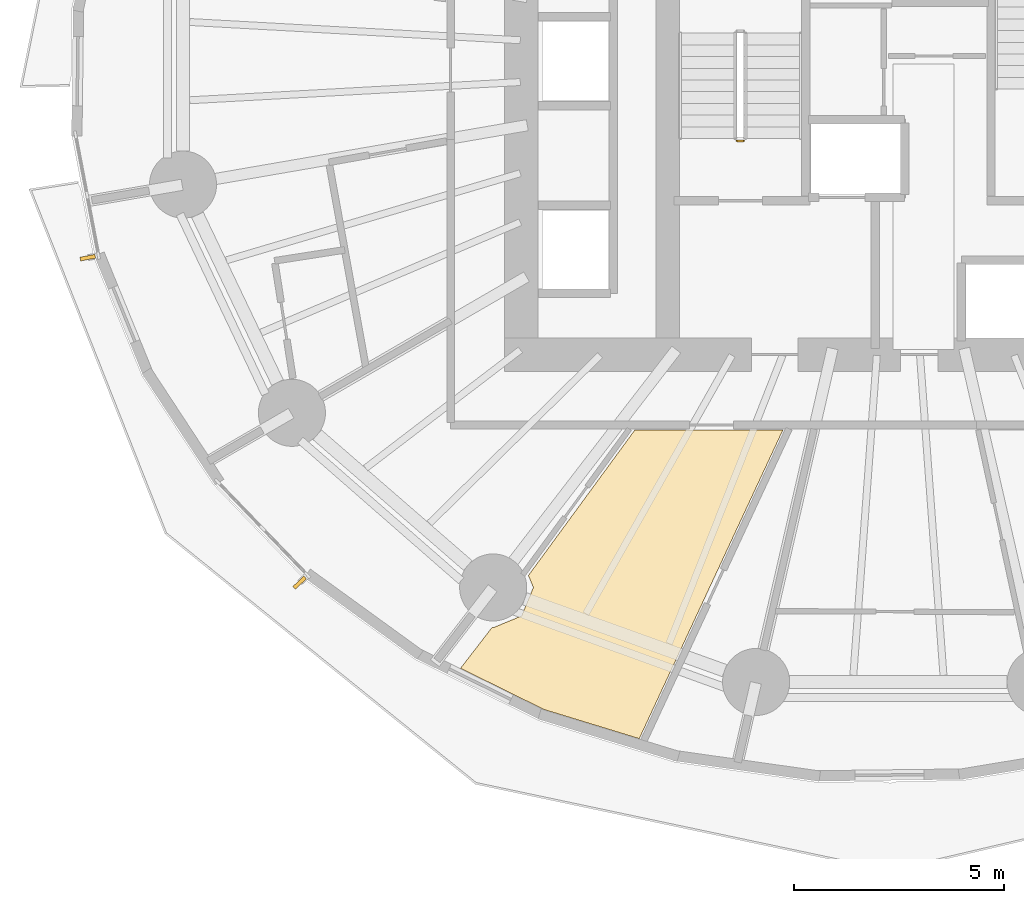
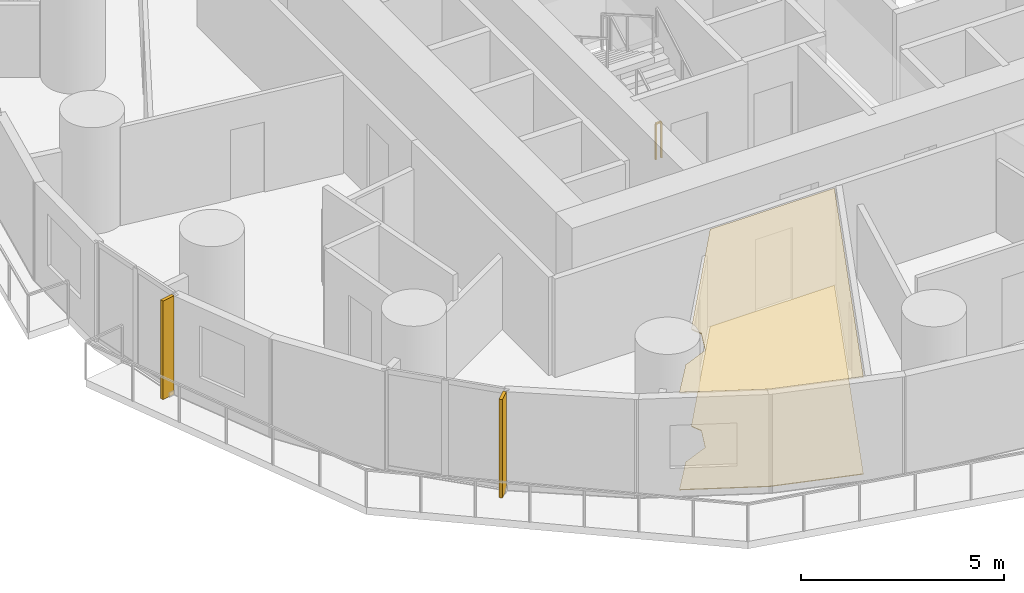
# One storey, part 11 of 14: 2 coverings, 2 shading devices, 1 railing.
"""IFC4 building model written with IfcOpenShell, lengths in metres."""

from ifc_helpers import new_model, si_unit, direction, frame, origin, origin_2d, place, context, subcontext, project, spatial, polyline, rectangle, outline, extrude, material, layer, layer_set, type_object, element, save


model = new_model("IFC4")

# Units and contexts
model_context = context("Model", 3, precision=1e-05, world=origin(), true_north=direction((0.0, 1.0)))
body_context = subcontext(model_context, "Body", "Model", "MODEL_VIEW")
ifc_project = project(units=[si_unit("LENGTHUNIT", "METRE"), si_unit("AREAUNIT", "SQUARE_METRE"), si_unit("VOLUMEUNIT", "CUBIC_METRE"), si_unit("PLANEANGLEUNIT", "RADIAN"), si_unit("MASSUNIT", "GRAM", prefix="KILO")], contexts=[model_context])

# Site, building, storey
site_placement = place(None, origin())
site = spatial("IfcSite", under=ifc_project, at=site_placement, CompositionType="ELEMENT")
building_placement = place(site_placement, origin())
building = spatial("IfcBuilding", under=site, at=building_placement, Name="Veldorim Arch Residences", CompositionType="ELEMENT")
storey_placement = place(building_placement, frame((0.0, 0.0, 28.0)))
storey = spatial("IfcBuildingStorey", under=building, at=storey_placement, Name="L07", CompositionType="ELEMENT", Elevation=28.0)

# Railing
ifc_material_1 = material(Name="Steel S355", Category="steel")
railing_type = type_object("IfcRailingType", Name="Galvanised Steel Stair Safety Guardrail 1100", PredefinedType="GUARDRAIL", material=ifc_material_1)
railing_placement = place(storey_placement, frame((28.31005859375, 22.10009765625, 0.0)))
element("IfcRailing", 1, at=railing_placement, inside=storey, type_object=railing_type, Name="L07 ST-1 stair guard 4", PredefinedType="GUARDRAIL", context=body_context, shape_type="SweptSolid", body=[
    extrude(rectangle(XDim=0.048095703125, YDim=0.048095703125, at=origin_2d()), frame((0.0, 0.0, 1.076171875), z_axis=(-1.0, 0.0, 0.0), x_axis=(0.0, -1.0, 0.0)), (0.0, 0.0, 1.0), 0.16015625),
    extrude(rectangle(XDim=0.0419921875, YDim=0.0419921875, at=origin_2d()), origin(), (0.0, 0.0, 1.0), 1.052001953125),
    extrude(rectangle(XDim=0.0419921875, YDim=0.0419921875, at=origin_2d()), frame((-0.16015625, 0.0, 0.0)), (0.0, 0.0, 1.0), 1.052001953125),
])

# Coverings
ifc_material_2 = material(Name="Acoustic Gypsum & Mineral Fibre", Category="gypsum")
ifc_layer_1 = layer(ifc_material_2, 0.034912109375, Name="Perforated Acoustic Mineral-Fibre Ceiling 35")
ifc_layer_set_1 = layer_set([ifc_layer_1], Name="Acoustic Gypsum & Mineral Fibre")
covering_type_1 = type_object("IfcCoveringType", Name="Perforated Acoustic Mineral-Fibre Ceiling 35", PredefinedType="CEILING", material=ifc_layer_set_1)
covering_1_placement = place(storey_placement, frame((0.0, 0.0, 2.905029296875)))
element("IfcCovering", 2, at=covering_1_placement, inside=storey, type_object=covering_type_1, Name="L07 acoustic suspended ceiling 02", PredefinedType="CEILING", context=body_context, shape_type="SweptSolid", body=[
    extrude(outline(polyline([(22.30859375, 10.4951171875), (22.3330078125, 10.48486328125), (23.01171875, 10.76611328125), (23.29296875, 11.44482421875), (23.17431640625, 11.73095703125), (25.7119140625, 15.199951171875), (29.243896484375, 15.199951171875), (25.818115234375, 7.838623046875), (23.543212890625, 8.53466796875), (21.5546875, 9.51611328125), (22.30859375, 10.4951171875)])), origin(), (0.0, 0.0, 1.0), 0.034912109375),
])
ifc_material_3 = material(Name="Porcelain Ceramic Tile", Category="ceramic")
ifc_layer_2 = layer(ifc_material_3, 0.02001953125, Name="Slip-Resistant Porcelain & Vinyl Floor Finish 20")
ifc_layer_set_2 = layer_set([ifc_layer_2], Name="Porcelain Ceramic Tile")
covering_type_2 = type_object("IfcCoveringType", Name="Slip-Resistant Porcelain & Vinyl Floor Finish 20", PredefinedType="FLOORING", material=ifc_layer_set_2)
covering_2_placement = place(storey_placement, origin())
element("IfcCovering", 3, at=covering_2_placement, inside=storey, type_object=covering_type_2, Name="L07 porcelain floor finish 02", PredefinedType="FLOORING", context=body_context, shape_type="SweptSolid", body=[
    extrude(outline(polyline([(22.30859375, 10.4951171875), (22.3330078125, 10.48486328125), (23.01171875, 10.76611328125), (23.29296875, 11.44482421875), (23.17431640625, 11.73095703125), (25.7119140625, 15.199951171875), (29.243896484375, 15.199951171875), (25.818115234375, 7.838623046875), (23.543212890625, 8.53466796875), (21.5546875, 9.51611328125), (22.30859375, 10.4951171875)])), origin(), (0.0, 0.0, 1.0), 0.02001953125),
])

# Shading devices
ifc_material_4 = material(Name="Terracotta Ceramic", Category="masonry")
ifc_layer_3 = layer(ifc_material_4, 0.090087890625, Name="Vertical Extruded Terracotta Baguette Sun-Shading Fin")
ifc_layer_set_3 = layer_set([ifc_layer_3], Name="Terracotta Ceramic")
shading_device_type = type_object("IfcShadingDeviceType", Name="Vertical Extruded Terracotta Baguette Sun-Shading Fin", PredefinedType="USERDEFINED", material=ifc_layer_set_3)
for number, where, z_axis, x_axis, name in (
    (4, (12.6630859375, 19.3115234375, 0.0), (0.0, 0.0, 1.0), (-0.187209870265, 0.982319939976, 0.0), "L07 vertical terracotta sun-shading fin 19"),
    (5, (17.71533203125, 11.55810546875, 0.0), (0.0, 0.0, 1.0), (-0.693527577607, 0.720430079257, 0.0), "L07 vertical terracotta sun-shading fin 22"),
):
    element("IfcShadingDevice", number, at=place(storey_placement, frame(where, z_axis=z_axis, x_axis=x_axis)), inside=storey, type_object=shading_device_type, Name=name, ObjectType="FIN", PredefinedType="USERDEFINED", context=body_context, shape_type="SweptSolid", body=[
        extrude(rectangle(XDim=0.090087890625, YDim=0.360107421875, at=origin_2d()), origin(), (0.0, 0.0, 1.0), 2.9599609375),
    ])

save(model, "model.ifc")
